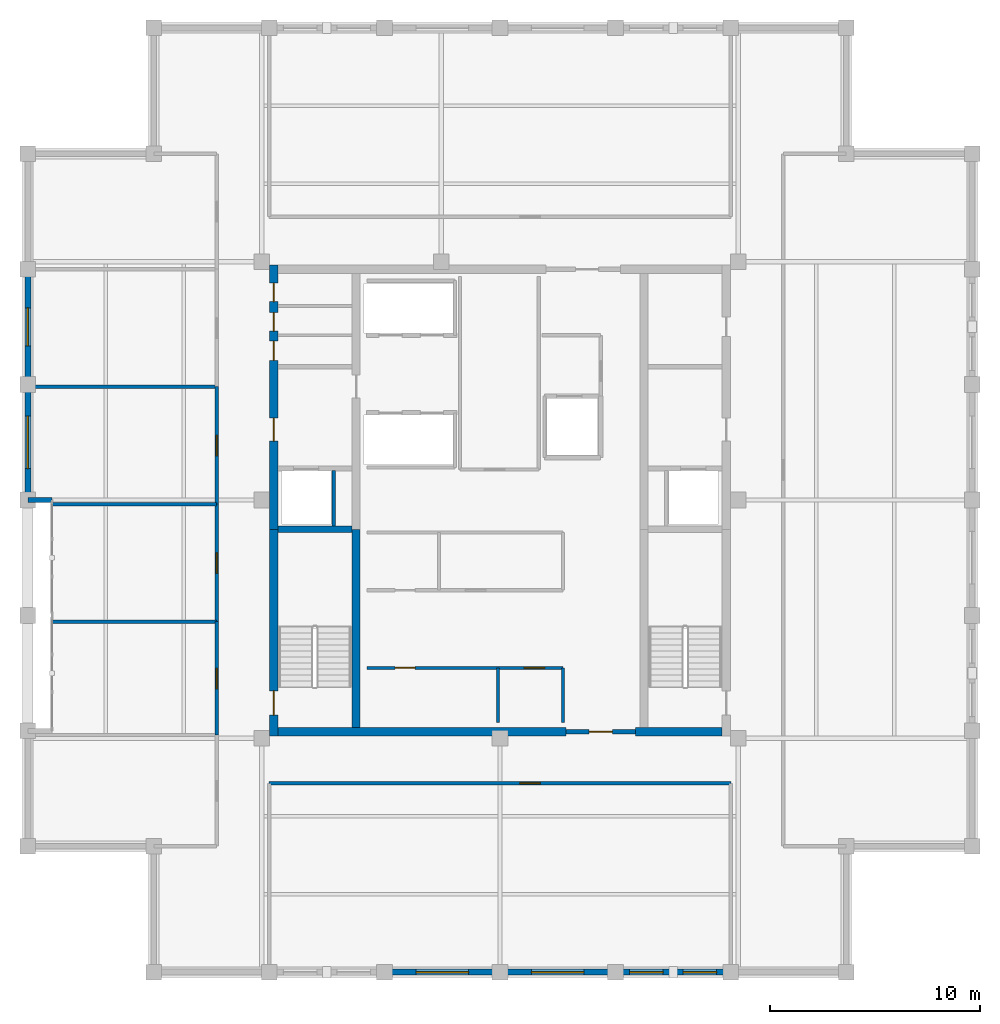
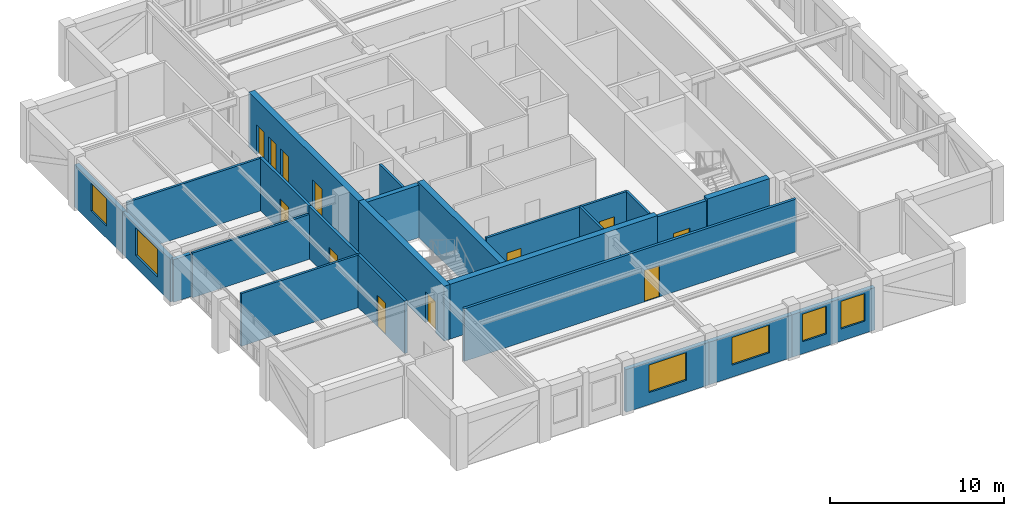
# One storey, part 6 of 10: 24 walls, 12 doors, 6 windows, 18 openings.
"""IFC4 building model written with IfcOpenShell, lengths in metres."""

from ifc_helpers import new_model, si_unit, direction, frame, frame_2d, origin, place, context, subcontext, project, spatial, rectangle, extrude, material, layer, layer_set, type_object, element, fill, save


model = new_model("IFC4")

# Units and contexts
model_context = context("Model", 3, precision=1e-05, world=origin(), true_north=direction((0.0, 1.0)))
body_context = subcontext(model_context, "Body", "Model", "MODEL_VIEW")
ifc_project = project(units=[si_unit("LENGTHUNIT", "METRE"), si_unit("AREAUNIT", "SQUARE_METRE"), si_unit("VOLUMEUNIT", "CUBIC_METRE"), si_unit("PLANEANGLEUNIT", "RADIAN"), si_unit("MASSUNIT", "GRAM", prefix="KILO")], contexts=[model_context])

# Site, building, storey
site_placement = place(None, origin())
site = spatial("IfcSite", under=ifc_project, at=site_placement, CompositionType="ELEMENT")
building_placement = place(site_placement, origin())
building = spatial("IfcBuilding", under=site, at=building_placement, Name="Nhamokura Convention Tower", CompositionType="ELEMENT")
storey_placement = place(building_placement, frame((0.0, 0.0, 296.800048828125)))
storey = spatial("IfcBuildingStorey", under=building, at=storey_placement, Name="L73", CompositionType="ELEMENT", Elevation=296.800048828125)

# Wall, opening, window
ifc_material_1 = material(Name="Bronze-pigmented precast concrete C45/55", Category="concrete")
ifc_layer_1 = layer(ifc_material_1, 0.280029296875)
ifc_layer_set_1 = layer_set([ifc_layer_1], Name="BronzePrecastSpandrel_280")
wall_type_1 = type_object("IfcWallType", Name="BronzePrecastSpandrel_280", PredefinedType="USERDEFINED", material=ifc_layer_set_1)
wall_1_placement = place(storey_placement, frame((32.0, 9.5, 0.0), z_axis=(0.0, 0.0, 1.0), x_axis=(-1.0, 0.0, 0.0)))
wall_1 = element("IfcWall", 1, at=wall_1_placement, inside=storey, type_object=wall_type_1, Name="L73 Masonry-Frame Wall SOUTH 2", ObjectType="SPANDREL_WALL", PredefinedType="USERDEFINED", context=body_context, shape_type="SweptSolid", body=[
    extrude(rectangle(XDim=5.5, YDim=0.280029296875, at=frame_2d((2.75, 0.0))), origin(), (0.0, 0.0, 1.0), 2.98486328125),
])
opening_1_placement = place(wall_1_placement, frame((1.5, 0.0, 0.85009765625)))
opening_1 = element("IfcOpeningElement", 2, at=opening_1_placement, cuts=wall_1, Name="Opening W-09", PredefinedType="OPENING", context=body_context, shape_type="SweptSolid", body=[
    extrude(rectangle(XDim=2.5, YDim=1.93505859375, at=frame_2d((1.25, 0.967529296875))), frame((0.0, 0.14990234375, 0.0), z_axis=(0.0, -1.0, 0.0), x_axis=(1.0, 0.0, 0.0)), (0.0, 0.0, 1.0), 0.300048828125),
])
ifc_material_2 = material(Name="Solar-control bronze low-E double glass", Category="glass")
window_type_1 = type_object("IfcWindowType", Name="SummitWindow_Z4_2500", PartitioningType="DOUBLE_PANEL_VERTICAL", PredefinedType="WINDOW", material=ifc_material_2)
window_1_placement = place(opening_1_placement, origin())
window_1 = element("IfcWindow", 3, at=window_1_placement, inside=storey, type_object=window_type_1, Name="L73 Facade Window SOUTH 2", OverallHeight=1.93505859375, OverallWidth=2.5, PartitioningType="SINGLE_PANEL", PredefinedType="WINDOW", context=body_context, shape_type="SweptSolid", body=[
    extrude(rectangle(XDim=2.5, YDim=1.93505859375, at=frame_2d((1.25, 0.967529296875))), frame((0.0, 0.030029296875, 0.0), z_axis=(0.0, -1.0, 0.0), x_axis=(1.0, 0.0, 0.0)), (0.0, 0.0, 1.0), 0.06005859375),
])
fill(opening_1, window_1)

wall_2_placement = place(storey_placement, frame((37.5, 9.5, 0.0), z_axis=(0.0, 0.0, 1.0), x_axis=(-1.0, 0.0, 0.0)))
wall_2 = element("IfcWall", 4, at=wall_2_placement, inside=storey, type_object=wall_type_1, Name="L73 Masonry-Frame Wall SOUTH 3", ObjectType="SPANDREL_WALL", PredefinedType="USERDEFINED", context=body_context, shape_type="SweptSolid", body=[
    extrude(rectangle(XDim=5.5, YDim=0.280029296875, at=frame_2d((2.75, 0.0))), origin(), (0.0, 0.0, 1.0), 2.98486328125),
])
opening_2_placement = place(wall_2_placement, frame((1.5, 0.0, 0.85009765625)))
opening_2 = element("IfcOpeningElement", 5, at=opening_2_placement, cuts=wall_2, Name="Opening W-09", PredefinedType="OPENING", context=body_context, shape_type="SweptSolid", body=[
    extrude(rectangle(XDim=2.5, YDim=1.93505859375, at=frame_2d((1.25, 0.967529296875))), frame((0.0, 0.14990234375, 0.0), z_axis=(0.0, -1.0, 0.0), x_axis=(1.0, 0.0, 0.0)), (0.0, 0.0, 1.0), 0.300048828125),
])
window_2_placement = place(opening_2_placement, origin())
window_2 = element("IfcWindow", 6, at=window_2_placement, inside=storey, type_object=window_type_1, Name="L73 Facade Window SOUTH 3", OverallHeight=1.93505859375, OverallWidth=2.5, PartitioningType="SINGLE_PANEL", PredefinedType="WINDOW", context=body_context, shape_type="SweptSolid", body=[
    extrude(rectangle(XDim=2.5, YDim=1.93505859375, at=frame_2d((1.25, 0.967529296875))), frame((0.0, 0.030029296875, 0.0), z_axis=(0.0, -1.0, 0.0), x_axis=(1.0, 0.0, 0.0)), (0.0, 0.0, 1.0), 0.06005859375),
])
fill(opening_2, window_2)

# Wall, openings, windows
wall_3_placement = place(storey_placement, frame((43.0, 9.5, 0.0), z_axis=(0.0, 0.0, 1.0), x_axis=(-1.0, 0.0, 0.0)))
wall_3 = element("IfcWall", 7, at=wall_3_placement, inside=storey, type_object=wall_type_1, Name="L73 Masonry-Frame Wall SOUTH 4", ObjectType="SPANDREL_WALL", PredefinedType="USERDEFINED", context=body_context, shape_type="SweptSolid", body=[
    extrude(rectangle(XDim=5.5, YDim=0.280029296875, at=frame_2d((2.75, 0.0))), origin(), (0.0, 0.0, 1.0), 2.98486328125),
])
opening_3_placement = place(wall_3_placement, frame((0.675048828125, 0.0, 0.85009765625)))
opening_3 = element("IfcOpeningElement", 8, at=opening_3_placement, cuts=wall_3, Name="Opening W-11", PredefinedType="OPENING", context=body_context, shape_type="SweptSolid", body=[
    extrude(rectangle(XDim=1.60009765625, YDim=1.93505859375, at=frame_2d((0.800048828125, 0.967529296875))), frame((0.0, 0.14990234375, 0.0), z_axis=(0.0, -1.0, 0.0), x_axis=(1.0, 0.0, 0.0)), (0.0, 0.0, 1.0), 0.300048828125),
])
opening_4_placement = place(wall_3_placement, frame((3.22509765625, 0.0, 0.85009765625)))
opening_4 = element("IfcOpeningElement", 9, at=opening_4_placement, cuts=wall_3, Name="Opening W-11", PredefinedType="OPENING", context=body_context, shape_type="SweptSolid", body=[
    extrude(rectangle(XDim=1.60009765625, YDim=1.93505859375, at=frame_2d((0.800048828125, 0.967529296875))), frame((0.0, 0.14990234375, 0.0), z_axis=(0.0, -1.0, 0.0), x_axis=(1.0, 0.0, 0.0)), (0.0, 0.0, 1.0), 0.300048828125),
])
ifc_material_3 = material(Name="Solar-control bronze low-E double glass", Category="glass")
window_type_2 = type_object("IfcWindowType", Name="NotchCornerWindow_1600", PartitioningType="SINGLE_PANEL", PredefinedType="WINDOW", material=ifc_material_3)
window_3_placement = place(opening_3_placement, origin())
window_3 = element("IfcWindow", 10, at=window_3_placement, inside=storey, type_object=window_type_2, Name="L73 Facade Window SOUTH 4-1", OverallHeight=1.93505859375, OverallWidth=1.60009765625, PartitioningType="SINGLE_PANEL", PredefinedType="WINDOW", context=body_context, shape_type="SweptSolid", body=[
    extrude(rectangle(XDim=1.60009765625, YDim=1.93505859375, at=frame_2d((0.800048828125, 0.967529296875))), frame((0.0, 0.030029296875, 0.0), z_axis=(0.0, -1.0, 0.0), x_axis=(1.0, 0.0, 0.0)), (0.0, 0.0, 1.0), 0.06005859375),
])
fill(opening_3, window_3)
window_4_placement = place(opening_4_placement, origin())
window_4 = element("IfcWindow", 11, at=window_4_placement, inside=storey, type_object=window_type_2, Name="L73 Facade Window SOUTH 4-2", OverallHeight=1.93505859375, OverallWidth=1.60009765625, PartitioningType="SINGLE_PANEL", PredefinedType="WINDOW", context=body_context, shape_type="SweptSolid", body=[
    extrude(rectangle(XDim=1.60009765625, YDim=1.93505859375, at=frame_2d((0.800048828125, 0.967529296875))), frame((0.0, 0.030029296875, 0.0), z_axis=(0.0, -1.0, 0.0), x_axis=(1.0, 0.0, 0.0)), (0.0, 0.0, 1.0), 0.06005859375),
])
fill(opening_4, window_4)

# Wall
wall_4_placement = place(storey_placement, frame((9.5, 32.0, 0.0), z_axis=(0.0, 0.0, 1.0), x_axis=(1.0, 0.0, 0.0)))
element("IfcWall", 12, at=wall_4_placement, inside=storey, type_object=wall_type_1, Name="L73 Scale Slot Cheek Wall WESTB", ObjectType="SPANDREL_WALL", PredefinedType="USERDEFINED", context=body_context, shape_type="SweptSolid", body=[
    extrude(rectangle(XDim=1.14990234375, YDim=0.239990234375, at=frame_2d((0.574951171875, 0.0))), origin(), (0.0, 0.0, 1.0), 2.98486328125),
])

# Wall, opening, window
wall_5_placement = place(storey_placement, frame((9.5, 32.0, 0.0), z_axis=(0.0, 0.0, 1.0), x_axis=(0.0, 1.0, 0.0)))
wall_5 = element("IfcWall", 13, at=wall_5_placement, inside=storey, type_object=wall_type_1, Name="L73 Masonry-Frame Wall WEST 3", ObjectType="SPANDREL_WALL", PredefinedType="USERDEFINED", context=body_context, shape_type="SweptSolid", body=[
    extrude(rectangle(XDim=5.5, YDim=0.280029296875, at=frame_2d((2.75, 0.0))), origin(), (0.0, 0.0, 1.0), 2.98486328125),
])
opening_5_placement = place(wall_5_placement, frame((1.5, 0.0, 0.85009765625)))
opening_5 = element("IfcOpeningElement", 14, at=opening_5_placement, cuts=wall_5, Name="Opening W-09", PredefinedType="OPENING", context=body_context, shape_type="SweptSolid", body=[
    extrude(rectangle(XDim=2.5, YDim=1.93505859375, at=frame_2d((1.25, 0.967529296875))), frame((0.0, 0.14990234375, 0.0), z_axis=(0.0, -1.0, 0.0), x_axis=(1.0, 0.0, 0.0)), (0.0, 0.0, 1.0), 0.300048828125),
])
window_5_placement = place(opening_5_placement, origin())
window_5 = element("IfcWindow", 15, at=window_5_placement, inside=storey, type_object=window_type_1, Name="L73 Facade Window WEST 3", OverallHeight=1.93505859375, OverallWidth=2.5, PartitioningType="SINGLE_PANEL", PredefinedType="WINDOW", context=body_context, shape_type="SweptSolid", body=[
    extrude(rectangle(XDim=2.5, YDim=1.93505859375, at=frame_2d((1.25, 0.967529296875))), frame((0.0, 0.030029296875, 0.0), z_axis=(0.0, -1.0, 0.0), x_axis=(1.0, 0.0, 0.0)), (0.0, 0.0, 1.0), 0.06005859375),
])
fill(opening_5, window_5)

wall_6_placement = place(storey_placement, frame((9.5, 37.5, 0.0), z_axis=(0.0, 0.0, 1.0), x_axis=(0.0, 1.0, 0.0)))
wall_6 = element("IfcWall", 16, at=wall_6_placement, inside=storey, type_object=wall_type_1, Name="L73 Masonry-Frame Wall WEST 4", ObjectType="SPANDREL_WALL", PredefinedType="USERDEFINED", context=body_context, shape_type="SweptSolid", body=[
    extrude(rectangle(XDim=5.5, YDim=0.280029296875, at=frame_2d((2.75, 0.0))), origin(), (0.0, 0.0, 1.0), 2.98486328125),
])
opening_6_placement = place(wall_6_placement, frame((1.85009765625, 0.0, 0.85009765625)))
opening_6 = element("IfcOpeningElement", 17, at=opening_6_placement, cuts=wall_6, Name="Opening W-10", PredefinedType="OPENING", context=body_context, shape_type="SweptSolid", body=[
    extrude(rectangle(XDim=1.800048828125, YDim=1.93505859375, at=frame_2d((0.89990234375, 0.967529296875))), frame((0.0, 0.14990234375, 0.0), z_axis=(0.0, -1.0, 0.0), x_axis=(1.0, 0.0, 0.0)), (0.0, 0.0, 1.0), 0.300048828125),
])
ifc_material_4 = material(Name="Solar-control bronze low-E double glass", Category="glass")
window_type_3 = type_object("IfcWindowType", Name="SummitWindow_Z4_1800", PartitioningType="SINGLE_PANEL", PredefinedType="WINDOW", material=ifc_material_4)
window_6_placement = place(opening_6_placement, origin())
window_6 = element("IfcWindow", 18, at=window_6_placement, inside=storey, type_object=window_type_3, Name="L73 Facade Window WEST 4", OverallHeight=1.93505859375, OverallWidth=1.800048828125, PartitioningType="SINGLE_PANEL", PredefinedType="WINDOW", context=body_context, shape_type="SweptSolid", body=[
    extrude(rectangle(XDim=1.800048828125, YDim=1.93505859375, at=frame_2d((0.89990234375, 0.967529296875))), frame((0.0, 0.030029296875, 0.0), z_axis=(0.0, -1.0, 0.0), x_axis=(1.0, 0.0, 0.0)), (0.0, 0.0, 1.0), 0.06005859375),
])
fill(opening_6, window_6)

# Wall, opening, door
ifc_material_5 = material(Name="Concrete C50/60", Category="concrete")
ifc_layer_2 = layer(ifc_material_5, 0.39990234375)
ifc_layer_set_2 = layer_set([ifc_layer_2], Name="CoreShearWall_400")
wall_type_2 = type_object("IfcWallType", Name="CoreShearWall_400", PredefinedType="SHEAR", material=ifc_layer_set_2)
wall_7_placement = place(storey_placement, frame((21.2099609375, 20.75, 0.0), z_axis=(0.0, 0.0, 1.0), x_axis=(0.0, 1.0, 0.0)))
wall_7 = element("IfcWall", 19, at=wall_7_placement, inside=storey, type_object=wall_type_2, Name="L73 Core Shear Wall CW-WS", PredefinedType="SHEAR", context=body_context, shape_type="SweptSolid", body=[
    extrude(rectangle(XDim=9.85009765625, YDim=0.39990234375, at=frame_2d((4.925048828125, 0.0))), origin(), (0.0, 0.0, 1.0), 3.849853515625),
])
opening_7_placement = place(wall_7_placement, frame((1.0, 0.0, 0.0)))
opening_7 = element("IfcOpeningElement", 20, at=opening_7_placement, cuts=wall_7, Name="Opening D-04", PredefinedType="OPENING", context=body_context, shape_type="SweptSolid", body=[
    extrude(rectangle(XDim=1.14990234375, YDim=2.14990234375, at=frame_2d((0.574951171875, 1.074951171875))), frame((0.0, 0.2099609375, 0.0), z_axis=(0.0, -1.0, 0.0), x_axis=(1.0, 0.0, 0.0)), (0.0, 0.0, 1.0), 0.419921875),
])
ifc_material_6 = material(Name="Fire-rated steel door", Category="steel")
door_type_1 = type_object("IfcDoorType", Name="StairSmokeDoor_1150", OperationType="NOTDEFINED", PredefinedType="DOOR", material=ifc_material_6)
door_1_placement = place(opening_7_placement, origin())
door_1 = element("IfcDoor", 21, at=door_1_placement, inside=storey, type_object=door_type_1, Name="L73 Core Door INT-L73-D-ST01", OperationType="SINGLE_SWING_LEFT", OverallHeight=2.14990234375, OverallWidth=1.14990234375, PredefinedType="DOOR", context=body_context, shape_type="SweptSolid", body=[
    extrude(rectangle(XDim=1.14990234375, YDim=2.14990234375, at=frame_2d((0.574951171875, 1.074951171875))), frame((0.0, 0.02490234375, 0.0), z_axis=(0.0, -1.0, 0.0), x_axis=(1.0, 0.0, 0.0)), (0.0, 0.0, 1.0), 0.050048828125),
])
fill(opening_7, door_1)

# Wall, openings, doors
wall_8_placement = place(storey_placement, frame((21.2099609375, 30.60009765625, 0.0), z_axis=(0.0, 0.0, 1.0), x_axis=(0.0, 1.0, 0.0)))
wall_8 = element("IfcWall", 22, at=wall_8_placement, inside=storey, type_object=wall_type_2, Name="L73 Core Shear Wall CW-WN", PredefinedType="SHEAR", context=body_context, shape_type="SweptSolid", body=[
    extrude(rectangle(XDim=12.599853515625, YDim=0.39990234375, at=frame_2d((6.2998046875, 0.0))), origin(), (0.0, 0.0, 1.0), 3.849853515625),
])
opening_8_placement = place(wall_8_placement, frame((4.199951171875, 0.0, 0.0)))
opening_8 = element("IfcOpeningElement", 23, at=opening_8_placement, cuts=wall_8, Name="Opening D-05", PredefinedType="OPENING", context=body_context, shape_type="SweptSolid", body=[
    extrude(rectangle(XDim=1.10009765625, YDim=2.14990234375, at=frame_2d((0.550048828125, 1.074951171875))), frame((0.0, 0.2099609375, 0.0), z_axis=(0.0, -1.0, 0.0), x_axis=(1.0, 0.0, 0.0)), (0.0, 0.0, 1.0), 0.419921875),
])
opening_9_placement = place(wall_8_placement, frame((8.050048828125, 0.0, 0.0)))
opening_9 = element("IfcOpeningElement", 24, at=opening_9_placement, cuts=wall_8, Name="Opening D-10", PredefinedType="OPENING", context=body_context, shape_type="SweptSolid", body=[
    extrude(rectangle(XDim=0.919921875, YDim=2.10009765625, at=frame_2d((0.4599609375, 1.050048828125))), frame((0.0, 0.2099609375, 0.0), z_axis=(0.0, -1.0, 0.0), x_axis=(1.0, 0.0, 0.0)), (0.0, 0.0, 1.0), 0.419921875),
])
opening_10_placement = place(wall_8_placement, frame((9.449951171875, 0.0, 0.0)))
opening_10 = element("IfcOpeningElement", 25, at=opening_10_placement, cuts=wall_8, Name="Opening D-11", PredefinedType="OPENING", context=body_context, shape_type="SweptSolid", body=[
    extrude(rectangle(XDim=0.8798828125, YDim=2.10009765625, at=frame_2d((0.43994140625, 1.050048828125))), frame((0.0, 0.2099609375, 0.0), z_axis=(0.0, -1.0, 0.0), x_axis=(1.0, 0.0, 0.0)), (0.0, 0.0, 1.0), 0.419921875),
])
opening_11_placement = place(wall_8_placement, frame((10.85009765625, 0.0, 0.0)))
opening_11 = element("IfcOpeningElement", 26, at=opening_11_placement, cuts=wall_8, Name="Opening D-11", PredefinedType="OPENING", context=body_context, shape_type="SweptSolid", body=[
    extrude(rectangle(XDim=0.8798828125, YDim=2.10009765625, at=frame_2d((0.43994140625, 1.050048828125))), frame((0.0, 0.2099609375, 0.0), z_axis=(0.0, -1.0, 0.0), x_axis=(1.0, 0.0, 0.0)), (0.0, 0.0, 1.0), 0.419921875),
])
ifc_material_7 = material(Name="Solid oak hardwood", Category="wood")
door_type_2 = type_object("IfcDoorType", Name="AccessibleWCDoor_920", OperationType="NOTDEFINED", PredefinedType="DOOR", material=ifc_material_7)
door_2_placement = place(opening_9_placement, origin())
door_2 = element("IfcDoor", 27, at=door_2_placement, inside=storey, type_object=door_type_2, Name="L73 Core Door INT-L73-D-AWC", OperationType="SINGLE_SWING_LEFT", OverallHeight=2.10009765625, OverallWidth=0.919921875, PredefinedType="DOOR", context=body_context, shape_type="SweptSolid", body=[
    extrude(rectangle(XDim=0.919921875, YDim=2.10009765625, at=frame_2d((0.4599609375, 1.050048828125))), frame((0.0, 0.02490234375, 0.0), z_axis=(0.0, -1.0, 0.0), x_axis=(1.0, 0.0, 0.0)), (0.0, 0.0, 1.0), 0.050048828125),
])
fill(opening_9, door_2)
ifc_material_8 = material(Name="Solid oak hardwood", Category="wood")
door_type_3 = type_object("IfcDoorType", Name="BathroomDoor_880", OperationType="NOTDEFINED", PredefinedType="DOOR", material=ifc_material_8)
door_3_placement = place(opening_10_placement, origin())
door_3 = element("IfcDoor", 28, at=door_3_placement, inside=storey, type_object=door_type_3, Name="L73 Core Door INT-L73-D-CLN", OperationType="SINGLE_SWING_RIGHT", OverallHeight=2.10009765625, OverallWidth=0.8798828125, PredefinedType="DOOR", context=body_context, shape_type="SweptSolid", body=[
    extrude(rectangle(XDim=0.8798828125, YDim=2.10009765625, at=frame_2d((0.43994140625, 1.050048828125))), frame((0.0, 0.02490234375, 0.0), z_axis=(0.0, -1.0, 0.0), x_axis=(1.0, 0.0, 0.0)), (0.0, 0.0, 1.0), 0.050048828125),
])
fill(opening_10, door_3)
door_4_placement = place(opening_11_placement, origin())
door_4 = element("IfcDoor", 29, at=door_4_placement, inside=storey, type_object=door_type_3, Name="L73 Core Door INT-L73-D-PNT", OperationType="SINGLE_SWING_LEFT", OverallHeight=2.10009765625, OverallWidth=0.8798828125, PredefinedType="DOOR", context=body_context, shape_type="SweptSolid", body=[
    extrude(rectangle(XDim=0.8798828125, YDim=2.10009765625, at=frame_2d((0.43994140625, 1.050048828125))), frame((0.0, 0.02490234375, 0.0), z_axis=(0.0, -1.0, 0.0), x_axis=(1.0, 0.0, 0.0)), (0.0, 0.0, 1.0), 0.050048828125),
])
fill(opening_11, door_4)
ifc_material_9 = material(Name="Fire-rated steel door", Category="steel")
door_type_4 = type_object("IfcDoorType", Name="FireLobbyDoor_1100", OperationType="NOTDEFINED", PredefinedType="DOOR", material=ifc_material_9)
door_5_placement = place(opening_8_placement, origin())
door_5 = element("IfcDoor", 30, at=door_5_placement, inside=storey, type_object=door_type_4, Name="L73 Core Door INT-L73-D-FFLW", OperationType="SINGLE_SWING_RIGHT", OverallHeight=2.14990234375, OverallWidth=1.10009765625, PredefinedType="DOOR", context=body_context, shape_type="SweptSolid", body=[
    extrude(rectangle(XDim=1.10009765625, YDim=2.14990234375, at=frame_2d((0.550048828125, 1.074951171875))), frame((0.0, 0.02490234375, 0.0), z_axis=(0.0, -1.0, 0.0), x_axis=(1.0, 0.0, 0.0)), (0.0, 0.0, 1.0), 0.050048828125),
])
fill(opening_8, door_5)

# Walls
wall_9_placement = place(storey_placement, frame((21.409912109375, 20.949951171875, 0.0), z_axis=(0.0, 0.0, 1.0), x_axis=(1.0, 0.0, 0.0)))
element("IfcWall", 31, at=wall_9_placement, inside=storey, type_object=wall_type_2, Name="L73 Core Shear Wall CW-S1", PredefinedType="SHEAR", context=body_context, shape_type="SweptSolid", body=[
    extrude(rectangle(XDim=13.739990234375, YDim=0.39990234375, at=frame_2d((6.8701171875, 0.0))), origin(), (0.0, 0.0, 1.0), 3.849853515625),
])
wall_10_placement = place(storey_placement, frame((38.449951171875, 20.949951171875, 0.0), z_axis=(0.0, 0.0, 1.0), x_axis=(1.0, 0.0, 0.0)))
element("IfcWall", 32, at=wall_10_placement, inside=storey, type_object=wall_type_2, Name="L73 Core Shear Wall CW-S2", PredefinedType="SHEAR", context=body_context, shape_type="SweptSolid", body=[
    extrude(rectangle(XDim=4.14013671875, YDim=0.39990234375, at=frame_2d((2.070068359375, 0.0))), origin(), (0.0, 0.0, 1.0), 3.849853515625),
])
wall_11_placement = place(storey_placement, frame((25.139892578125, 21.14990234375, 0.0), z_axis=(0.0, 0.0, 1.0), x_axis=(0.0, 1.0, 0.0)))
element("IfcWall", 33, at=wall_11_placement, inside=storey, type_object=wall_type_2, Name="L73 Core Shear Wall CW-IWS", PredefinedType="SHEAR", context=body_context, shape_type="SweptSolid", body=[
    extrude(rectangle(XDim=9.4501953125, YDim=0.39990234375, at=frame_2d((4.72509765625, 0.0))), origin(), (0.0, 0.0, 1.0), 3.849853515625),
])

# Wall, opening, door
ifc_material_10 = material(Name="Fire-rated gypsum and masonry partition", Category="masonry")
ifc_layer_3 = layer(ifc_material_10, 0.179931640625)
ifc_layer_set_3 = layer_set([ifc_layer_3], Name="CorridorRatedWall_180")
wall_type_3 = type_object("IfcWallType", Name="CorridorRatedWall_180", PredefinedType="STANDARD", material=ifc_layer_set_3)
wall_12_placement = place(storey_placement, frame((21.0, 18.5, 0.0), z_axis=(0.0, 0.0, 1.0), x_axis=(1.0, 0.0, 0.0)))
wall_12 = element("IfcWall", 34, at=wall_12_placement, inside=storey, type_object=wall_type_3, Name="L73 Wall INT-L73-CW-S00", PredefinedType="STANDARD", context=body_context, shape_type="SweptSolid", body=[
    extrude(rectangle(XDim=22.0, YDim=0.179931640625, at=frame_2d((11.0, 0.0))), origin(), (0.0, 0.0, 1.0), 3.68505859375),
])
opening_12_placement = place(wall_12_placement, frame((11.949951171875, 0.0, 0.0)))
opening_12 = element("IfcOpeningElement", 35, at=opening_12_placement, cuts=wall_12, Name="Opening D-08", PredefinedType="OPENING", context=body_context, shape_type="SweptSolid", body=[
    extrude(rectangle(XDim=0.97998046875, YDim=2.199951171875, at=frame_2d((0.489990234375, 1.10009765625))), frame((0.0, 0.099853515625, 0.0), z_axis=(0.0, -1.0, 0.0), x_axis=(1.0, 0.0, 0.0)), (0.0, 0.0, 1.0), 0.199951171875),
])
ifc_material_11 = material(Name="Solid oak hardwood", Category="wood")
door_type_5 = type_object("IfcDoorType", Name="OfficeEntryDoor_980", OperationType="NOTDEFINED", PredefinedType="DOOR", material=ifc_material_11)
door_6_placement = place(opening_12_placement, origin())
door_6 = element("IfcDoor", 36, at=door_6_placement, inside=storey, type_object=door_type_5, Name="L73 Banquet Dining Room S01 Door", OperationType="SINGLE_SWING_LEFT", OverallHeight=2.199951171875, OverallWidth=0.97998046875, PredefinedType="DOOR", context=body_context, shape_type="SweptSolid", body=[
    extrude(rectangle(XDim=0.97998046875, YDim=2.199951171875, at=frame_2d((0.489990234375, 1.10009765625))), frame((0.0, 0.02490234375, 0.0), z_axis=(0.0, -1.0, 0.0), x_axis=(1.0, 0.0, 0.0)), (0.0, 0.0, 1.0), 0.050048828125),
])
fill(opening_12, door_6)

wall_13_placement = place(storey_placement, frame((18.5, 20.800048828125, 0.0), z_axis=(0.0, 0.0, 1.0), x_axis=(0.0, 1.0, 0.0)))
wall_13 = element("IfcWall", 37, at=wall_13_placement, inside=storey, type_object=wall_type_3, Name="L73 Wall INT-L73-CW-W01", PredefinedType="STANDARD", context=body_context, shape_type="SweptSolid", body=[
    extrude(rectangle(XDim=5.39990234375, YDim=0.179931640625, at=frame_2d((2.699951171875, 0.0))), origin(), (0.0, 0.0, 1.0), 3.68505859375),
])
opening_13_placement = place(wall_13_placement, frame((2.199951171875, 0.0, 0.0)))
opening_13 = element("IfcOpeningElement", 38, at=opening_13_placement, cuts=wall_13, Name="Opening D-08", PredefinedType="OPENING", context=body_context, shape_type="SweptSolid", body=[
    extrude(rectangle(XDim=0.97998046875, YDim=2.199951171875, at=frame_2d((0.489990234375, 1.10009765625))), frame((0.0, 0.099853515625, 0.0), z_axis=(0.0, -1.0, 0.0), x_axis=(1.0, 0.0, 0.0)), (0.0, 0.0, 1.0), 0.199951171875),
])
door_7_placement = place(opening_13_placement, origin())
door_7 = element("IfcDoor", 39, at=door_7_placement, inside=storey, type_object=door_type_5, Name="L73 Medical Clinic W02 Door", OperationType="SINGLE_SWING_RIGHT", OverallHeight=2.199951171875, OverallWidth=0.97998046875, PredefinedType="DOOR", context=body_context, shape_type="SweptSolid", body=[
    extrude(rectangle(XDim=0.97998046875, YDim=2.199951171875, at=frame_2d((0.489990234375, 1.10009765625))), frame((0.0, 0.02490234375, 0.0), z_axis=(0.0, -1.0, 0.0), x_axis=(1.0, 0.0, 0.0)), (0.0, 0.0, 1.0), 0.050048828125),
])
fill(opening_13, door_7)

wall_14_placement = place(storey_placement, frame((18.5, 26.199951171875, 0.0), z_axis=(0.0, 0.0, 1.0), x_axis=(0.0, 1.0, 0.0)))
wall_14 = element("IfcWall", 40, at=wall_14_placement, inside=storey, type_object=wall_type_3, Name="L73 Wall INT-L73-CW-W02", PredefinedType="STANDARD", context=body_context, shape_type="SweptSolid", body=[
    extrude(rectangle(XDim=5.60009765625, YDim=0.179931640625, at=frame_2d((2.800048828125, 0.0))), origin(), (0.0, 0.0, 1.0), 3.68505859375),
])
opening_14_placement = place(wall_14_placement, frame((2.300048828125, 0.0, 0.0)))
opening_14 = element("IfcOpeningElement", 41, at=opening_14_placement, cuts=wall_14, Name="Opening D-08", PredefinedType="OPENING", context=body_context, shape_type="SweptSolid", body=[
    extrude(rectangle(XDim=0.97998046875, YDim=2.199951171875, at=frame_2d((0.489990234375, 1.10009765625))), frame((0.0, 0.099853515625, 0.0), z_axis=(0.0, -1.0, 0.0), x_axis=(1.0, 0.0, 0.0)), (0.0, 0.0, 1.0), 0.199951171875),
])
door_8_placement = place(opening_14_placement, origin())
door_8 = element("IfcDoor", 42, at=door_8_placement, inside=storey, type_object=door_type_5, Name="L73 Broadcast Studio W03 Door", OperationType="SINGLE_SWING_LEFT", OverallHeight=2.199951171875, OverallWidth=0.97998046875, PredefinedType="DOOR", context=body_context, shape_type="SweptSolid", body=[
    extrude(rectangle(XDim=0.97998046875, YDim=2.199951171875, at=frame_2d((0.489990234375, 1.10009765625))), frame((0.0, 0.02490234375, 0.0), z_axis=(0.0, -1.0, 0.0), x_axis=(1.0, 0.0, 0.0)), (0.0, 0.0, 1.0), 0.050048828125),
])
fill(opening_14, door_8)

wall_15_placement = place(storey_placement, frame((18.5, 31.800048828125, 0.0), z_axis=(0.0, 0.0, 1.0), x_axis=(0.0, 1.0, 0.0)))
wall_15 = element("IfcWall", 43, at=wall_15_placement, inside=storey, type_object=wall_type_3, Name="L73 Wall INT-L73-CW-W03", PredefinedType="STANDARD", context=body_context, shape_type="SweptSolid", body=[
    extrude(rectangle(XDim=5.599853515625, YDim=0.179931640625, at=frame_2d((2.7998046875, 0.0))), origin(), (0.0, 0.0, 1.0), 3.68505859375),
])
opening_15_placement = place(wall_15_placement, frame((2.300048828125, 0.0, 0.0)))
opening_15 = element("IfcOpeningElement", 44, at=opening_15_placement, cuts=wall_15, Name="Opening D-08", PredefinedType="OPENING", context=body_context, shape_type="SweptSolid", body=[
    extrude(rectangle(XDim=0.97998046875, YDim=2.199951171875, at=frame_2d((0.489990234375, 1.10009765625))), frame((0.0, 0.099853515625, 0.0), z_axis=(0.0, -1.0, 0.0), x_axis=(1.0, 0.0, 0.0)), (0.0, 0.0, 1.0), 0.199951171875),
])
door_9_placement = place(opening_15_placement, origin())
door_9 = element("IfcDoor", 45, at=door_9_placement, inside=storey, type_object=door_type_5, Name="L73 Data Laboratory W04 Door", OperationType="SINGLE_SWING_RIGHT", OverallHeight=2.199951171875, OverallWidth=0.97998046875, PredefinedType="DOOR", context=body_context, shape_type="SweptSolid", body=[
    extrude(rectangle(XDim=0.97998046875, YDim=2.199951171875, at=frame_2d((0.489990234375, 1.10009765625))), frame((0.0, 0.02490234375, 0.0), z_axis=(0.0, -1.0, 0.0), x_axis=(1.0, 0.0, 0.0)), (0.0, 0.0, 1.0), 0.050048828125),
])
fill(opening_15, door_9)

ifc_material_12 = material(Name="Autoclaved concrete blockwork", Category="masonry")
ifc_layer_4 = layer(ifc_material_12, 0.219970703125)
ifc_layer_set_4 = layer_set([ifc_layer_4], Name="FireLobbyWall_220")
wall_type_4 = type_object("IfcWallType", Name="FireLobbyWall_220", PredefinedType="STANDARD", material=ifc_layer_set_4)
wall_16_placement = place(storey_placement, frame((35.14990234375, 20.949951171875, 0.0), z_axis=(0.0, 0.0, 1.0), x_axis=(1.0, 0.0, 0.0)))
wall_16 = element("IfcWall", 46, at=wall_16_placement, inside=storey, type_object=wall_type_4, Name="L73 Wall INT-L73-SPORT-S", PredefinedType="STANDARD", context=body_context, shape_type="SweptSolid", body=[
    extrude(rectangle(XDim=3.300048828125, YDim=0.219970703125, at=frame_2d((1.64990234375, 0.0))), origin(), (0.0, 0.0, 1.0), 3.68505859375),
])
opening_16_placement = place(wall_16_placement, frame((1.10009765625, 0.0, 0.0)))
opening_16 = element("IfcOpeningElement", 47, at=opening_16_placement, cuts=wall_16, Name="Opening D-05", PredefinedType="OPENING", context=body_context, shape_type="SweptSolid", body=[
    extrude(rectangle(XDim=1.10009765625, YDim=2.14990234375, at=frame_2d((0.550048828125, 1.074951171875))), frame((0.0, 0.119873046875, 0.0), z_axis=(0.0, -1.0, 0.0), x_axis=(1.0, 0.0, 0.0)), (0.0, 0.0, 1.0), 0.239990234375),
])
door_10_placement = place(opening_16_placement, origin())
door_10 = element("IfcDoor", 48, at=door_10_placement, inside=storey, type_object=door_type_4, Name="L73 South Core Lobby Portal Door", OperationType="SINGLE_SWING_LEFT", OverallHeight=2.14990234375, OverallWidth=1.10009765625, PredefinedType="DOOR", context=body_context, shape_type="SweptSolid", body=[
    extrude(rectangle(XDim=1.10009765625, YDim=2.14990234375, at=frame_2d((0.550048828125, 1.074951171875))), frame((0.0, 0.02490234375, 0.0), z_axis=(0.0, -1.0, 0.0), x_axis=(1.0, 0.0, 0.0)), (0.0, 0.0, 1.0), 0.050048828125),
])
fill(opening_16, door_10)

# Wall
ifc_material_13 = material(Name="Acoustic gypsum stud partition", Category="masonry")
ifc_layer_5 = layer(ifc_material_13, 0.14990234375)
ifc_layer_set_5 = layer_set([ifc_layer_5], Name="InteriorPartition_150")
wall_type_5 = type_object("IfcWallType", Name="InteriorPartition_150", PredefinedType="STANDARD", material=ifc_layer_set_5)
wall_17_placement = place(storey_placement, frame((24.080078125, 30.75, 0.0), z_axis=(0.0, 0.0, 1.0), x_axis=(0.0, 1.0, 0.0)))
element("IfcWall", 49, at=wall_17_placement, inside=storey, type_object=wall_type_5, Name="L73 Wall INT-L73-FF1-E", PredefinedType="STANDARD", context=body_context, shape_type="SweptSolid", body=[
    extrude(rectangle(XDim=2.64990234375, YDim=0.14990234375, at=frame_2d((1.324951171875, 0.0))), origin(), (0.0, 0.0, 1.0), 3.68505859375),
])

# Wall, openings, doors
wall_18_placement = place(storey_placement, frame((25.64990234375, 24.0, 0.0), z_axis=(0.0, 0.0, 1.0), x_axis=(1.0, 0.0, 0.0)))
wall_18 = element("IfcWall", 50, at=wall_18_placement, inside=storey, type_object=wall_type_5, Name="L73 Wall INT-L73-B1R-N", PredefinedType="STANDARD", context=body_context, shape_type="SweptSolid", body=[
    extrude(rectangle(XDim=9.35009765625, YDim=0.14990234375, at=frame_2d((4.675048828125, 0.0))), origin(), (0.0, 0.0, 1.0), 3.68505859375),
])
opening_17_placement = place(wall_18_placement, frame((1.35009765625, 0.0, 0.0)))
opening_17 = element("IfcOpeningElement", 51, at=opening_17_placement, cuts=wall_18, Name="Opening D-09", PredefinedType="OPENING", context=body_context, shape_type="SweptSolid", body=[
    extrude(rectangle(XDim=0.949951171875, YDim=2.14990234375, at=frame_2d((0.47509765625, 1.074951171875))), frame((0.0, 0.0849609375, 0.0), z_axis=(0.0, -1.0, 0.0), x_axis=(1.0, 0.0, 0.0)), (0.0, 0.0, 1.0), 0.169921875),
])
opening_18_placement = place(wall_18_placement, frame((7.5, 0.0, 0.0)))
opening_18 = element("IfcOpeningElement", 52, at=opening_18_placement, cuts=wall_18, Name="Opening D-08", PredefinedType="OPENING", context=body_context, shape_type="SweptSolid", body=[
    extrude(rectangle(XDim=0.97998046875, YDim=2.199951171875, at=frame_2d((0.489990234375, 1.10009765625))), frame((0.0, 0.0849609375, 0.0), z_axis=(0.0, -1.0, 0.0), x_axis=(1.0, 0.0, 0.0)), (0.0, 0.0, 1.0), 0.169921875),
])
ifc_material_14 = material(Name="Solid oak hardwood", Category="wood")
door_type_6 = type_object("IfcDoorType", Name="MeetingRoomDoor_950", OperationType="NOTDEFINED", PredefinedType="DOOR", material=ifc_material_14)
door_11_placement = place(opening_17_placement, origin())
door_11 = element("IfcDoor", 53, at=door_11_placement, inside=storey, type_object=door_type_6, Name="L73 Reclaimed Briefing Room Door", OperationType="SINGLE_SWING_RIGHT", OverallHeight=2.14990234375, OverallWidth=0.949951171875, PredefinedType="DOOR", context=body_context, shape_type="SweptSolid", body=[
    extrude(rectangle(XDim=0.949951171875, YDim=2.14990234375, at=frame_2d((0.47509765625, 1.074951171875))), frame((0.0, 0.02490234375, 0.0), z_axis=(0.0, -1.0, 0.0), x_axis=(1.0, 0.0, 0.0)), (0.0, 0.0, 1.0), 0.050048828125),
])
fill(opening_17, door_11)
door_12_placement = place(opening_18_placement, origin())
door_12 = element("IfcDoor", 54, at=door_12_placement, inside=storey, type_object=door_type_5, Name="L73 Reclaimed Hub Door", OperationType="SINGLE_SWING_LEFT", OverallHeight=2.199951171875, OverallWidth=0.97998046875, PredefinedType="DOOR", context=body_context, shape_type="SweptSolid", body=[
    extrude(rectangle(XDim=0.97998046875, YDim=2.199951171875, at=frame_2d((0.489990234375, 1.10009765625))), frame((0.0, 0.02490234375, 0.0), z_axis=(0.0, -1.0, 0.0), x_axis=(1.0, 0.0, 0.0)), (0.0, 0.0, 1.0), 0.050048828125),
])
fill(opening_18, door_12)

# Walls
for number, where, z_axis, x_axis, name in (
    (55, (31.89990234375, 21.39990234375, 0.0), (0.0, 0.0, 1.0), (0.0, 1.0, 0.0), "L73 Wall INT-L73-B1R-M"),
    (56, (35.0, 21.39990234375, 0.0), (0.0, 0.0, 1.0), (0.0, 1.0, 0.0), "L73 Wall INT-L73-B1R-E"),
):
    element("IfcWall", number, at=place(storey_placement, frame(where, z_axis=z_axis, x_axis=x_axis)), inside=storey, type_object=wall_type_5, Name=name, PredefinedType="STANDARD", context=body_context, shape_type="SweptSolid", body=[
        extrude(rectangle(XDim=2.60009765625, YDim=0.14990234375, at=frame_2d((1.300048828125, 0.0))), origin(), (0.0, 0.0, 1.0), 3.68505859375),
    ])
wall_19_placement = place(storey_placement, frame((10.659912109375, 26.199951171875, 0.0), z_axis=(0.0, 0.0, 1.0), x_axis=(1.0, 0.0, 0.0)))
element("IfcWall", 57, at=wall_19_placement, inside=storey, type_object=wall_type_5, Name="L73 Wall INT-L73-RW-W02", PredefinedType="STANDARD", context=body_context, shape_type="SweptSolid", body=[
    extrude(rectangle(XDim=7.840087890625, YDim=0.14990234375, at=frame_2d((3.919921875, 0.0))), origin(), (0.0, 0.0, 1.0), 3.68505859375),
])
wall_20_placement = place(storey_placement, frame((10.659912109375, 31.800048828125, 0.0), z_axis=(0.0, 0.0, 1.0), x_axis=(1.0, 0.0, 0.0)))
element("IfcWall", 58, at=wall_20_placement, inside=storey, type_object=wall_type_5, Name="L73 Wall INT-L73-RW-W03", PredefinedType="STANDARD", context=body_context, shape_type="SweptSolid", body=[
    extrude(rectangle(XDim=7.840087890625, YDim=0.14990234375, at=frame_2d((3.919921875, 0.0))), origin(), (0.0, 0.0, 1.0), 3.139892578125),
])
wall_21_placement = place(storey_placement, frame((9.56005859375, 37.39990234375, 0.0), z_axis=(0.0, 0.0, 1.0), x_axis=(1.0, 0.0, 0.0)))
element("IfcWall", 59, at=wall_21_placement, inside=storey, type_object=wall_type_5, Name="L73 Wall INT-L73-RW-W04", PredefinedType="STANDARD", context=body_context, shape_type="SweptSolid", body=[
    extrude(rectangle(XDim=8.93994140625, YDim=0.14990234375, at=frame_2d((4.469970703125, 0.0))), origin(), (0.0, 0.0, 1.0), 3.68505859375),
])
ifc_material_15 = material(Name="Concrete C50/60", Category="concrete")
ifc_layer_6 = layer(ifc_material_15, 0.300048828125)
ifc_layer_set_6 = layer_set([ifc_layer_6], Name="ShaftEnclosureWall_300")
wall_type_6 = type_object("IfcWallType", Name="ShaftEnclosureWall_300", PredefinedType="SHEAR", material=ifc_layer_set_6)
wall_22_placement = place(storey_placement, frame((21.409912109375, 30.60009765625, 0.0), z_axis=(0.0, 0.0, 1.0), x_axis=(1.0, 0.0, 0.0)))
element("IfcWall", 60, at=wall_22_placement, inside=storey, type_object=wall_type_6, Name="L73 Wall INT-L73-ST01-N", PredefinedType="SHEAR", context=body_context, shape_type="SweptSolid", body=[
    extrude(rectangle(XDim=3.530029296875, YDim=0.300048828125, at=frame_2d((1.76513671875, 0.0))), origin(), (0.0, 0.0, 1.0), 3.68505859375),
])

save(model, "model.ifc")
